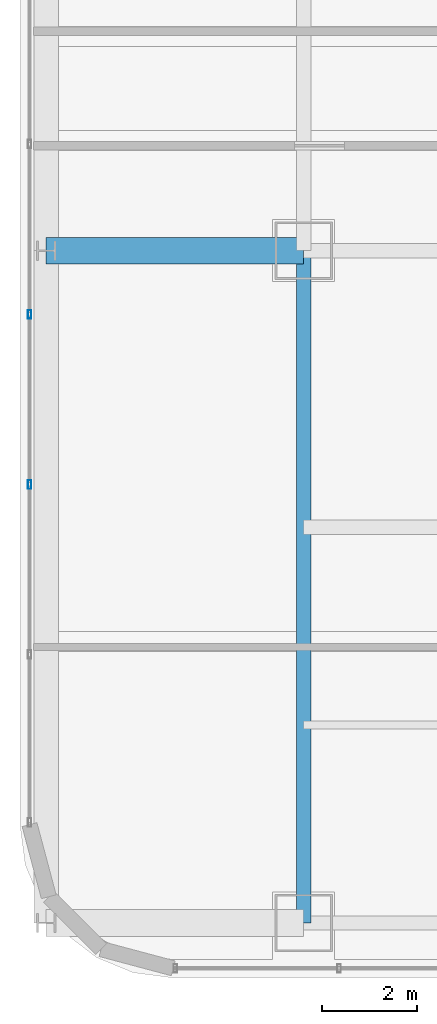
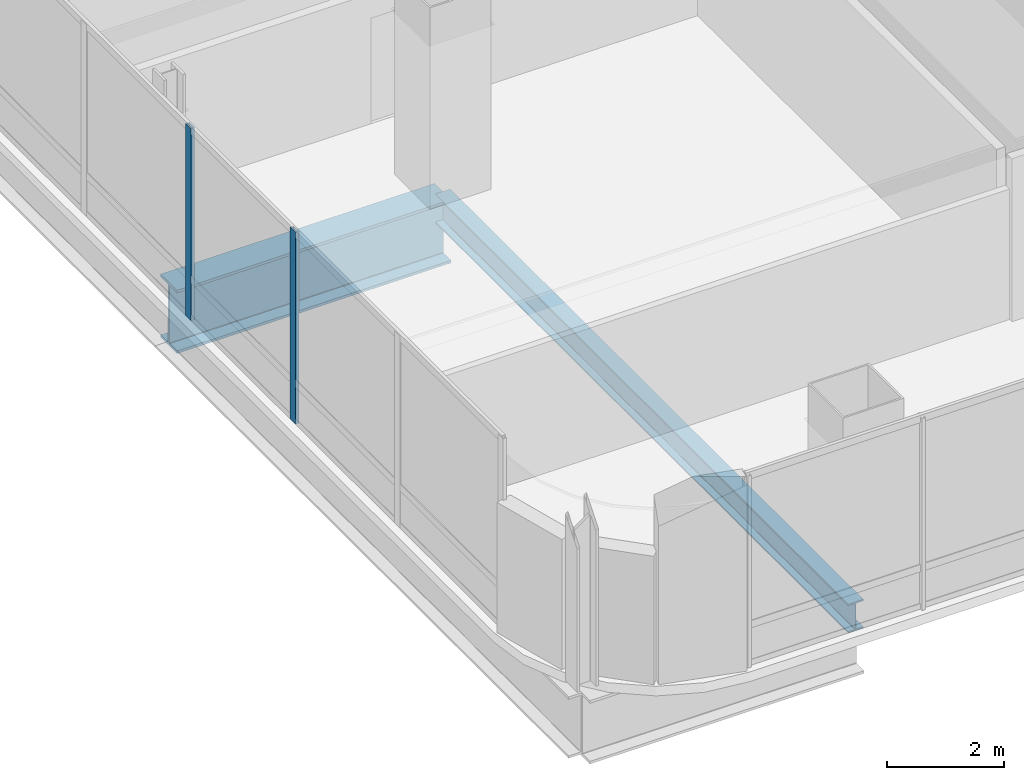
# One storey, part 6 of 43: 2 beams, 2 members, 1 element without a shape of its own.
"""IFC4 building model written with IfcOpenShell, lengths in metres."""

from ifc_helpers import new_model, si_unit, direction, frame, origin, origin_2d, place, context, subcontext, project, spatial, hollow_rectangle, i_section, extrude, material, material_profile, profile_set, type_object, element, aggregate, save


model = new_model("IFC4")

# Units and contexts
model_context = context("Model", 3, precision=1e-05, world=origin(), true_north=direction((0.0, 1.0)))
body_context = subcontext(model_context, "Body", "Model", "MODEL_VIEW")
ifc_project = project(units=[si_unit("LENGTHUNIT", "METRE"), si_unit("AREAUNIT", "SQUARE_METRE"), si_unit("VOLUMEUNIT", "CUBIC_METRE"), si_unit("PLANEANGLEUNIT", "RADIAN"), si_unit("MASSUNIT", "GRAM", prefix="KILO")], contexts=[model_context])

# Site, building, storey
site_placement = place(None, origin())
site = spatial("IfcSite", under=ifc_project, at=site_placement, CompositionType="ELEMENT")
building_placement = place(site_placement, origin())
building = spatial("IfcBuilding", under=site, at=building_placement, Name="Punatoya Terracotta Tower", CompositionType="ELEMENT")
storey_placement = place(building_placement, frame((0.0, 0.0, 300.60009765625)))
storey = spatial("IfcBuildingStorey", under=building, at=storey_placement, Name="L71", CompositionType="ELEMENT", Elevation=300.60009765625)

# Beams
ifc_material_1 = material(Name="Steel S355", Category="steel")
ifc_material_profile_1 = material_profile(ifc_material_1, i_section(OverallWidth=0.300048828125, OverallDepth=0.60009765625, WebThickness=0.015380859375, FlangeThickness=0.030029296875, FilletRadius=0.01806640625, at=origin_2d()))
ifc_profile_set_1 = profile_set([ifc_material_profile_1], Name="Steel S355")
beam_type_1 = type_object("IfcBeamType", Name="BM-PRI-600", PredefinedType="BEAM", material=ifc_profile_set_1)
beam_1_placement = place(storey_placement, frame((-19.10009765625, -17.5, -0.5), z_axis=(0.0, 1.0, 0.0), x_axis=(-1.0, 0.0, 0.0)))
element("IfcBeam", 1, at=beam_1_placement, inside=storey, type_object=beam_type_1, Name="BM-L71-RG-W1", PredefinedType="BEAM", context=body_context, shape_type="SweptSolid", body=[
    extrude(i_section(OverallWidth=0.300048828125, OverallDepth=0.60009765625, WebThickness=0.015380859375, FlangeThickness=0.030029296875, FilletRadius=0.01806640625, at=origin_2d()), origin(), (0.0, 0.0, 1.0), 14.10009765625),
])
ifc_material_2 = material(Name="Steel S460", Category="steel")
ifc_material_profile_2 = material_profile(ifc_material_2, i_section(OverallWidth=0.56005859375, OverallDepth=1.320068359375, WebThickness=0.035888671875, FlangeThickness=0.054931640625, FilletRadius=0.01806640625, at=origin_2d()))
ifc_profile_set_2 = profile_set([ifc_material_profile_2], Name="Steel S460")
beam_type_2 = type_object("IfcBeamType", Name="BM-TG-BLK", PredefinedType="BEAM", material=ifc_profile_set_2)
beam_2_placement = place(storey_placement, frame((-24.5, -3.39990234375, -0.860107421875), z_axis=(1.0, 0.0, 0.0), x_axis=(0.0, 1.0, 0.0)))
element("IfcBeam", 2, at=beam_2_placement, inside=storey, type_object=beam_type_2, Name="BM-L71-CANT-W2", PredefinedType="BEAM", context=body_context, shape_type="SweptSolid", body=[
    extrude(i_section(OverallWidth=0.56005859375, OverallDepth=1.320068359375, WebThickness=0.035888671875, FlangeThickness=0.054931640625, FilletRadius=0.01806640625, at=origin_2d()), origin(), (0.0, 0.0, 1.0), 5.39990234375),
])

# Curtain wall, members
ifc_material_3 = material(Name="Aluminium 6063-T6 + Double Low-E Glass", Category="aluminium")
curtain_wall_type = type_object("IfcCurtainWallType", Name="CW-M3", PredefinedType="NOTDEFINED", material=ifc_material_3)
curtain_wall_placement = place(storey_placement, origin())
curtain_wall = element("IfcCurtainWall", 3, at=curtain_wall_placement, inside=storey, type_object=curtain_wall_type, Name="L71 Curtain Wall CW-L71-W13-1", PredefinedType="NOTDEFINED")
ifc_material_4 = material(Name="Aluminium 6063-T6", Category="aluminium")
ifc_material_profile_3 = material_profile(ifc_material_4, hollow_rectangle(XDim=0.070068359375, YDim=0.179931640625, WallThickness=0.00390625, at=origin_2d()))
ifc_profile_set_3 = profile_set([ifc_material_profile_3], Name="Aluminium 6063-T6")
member_type = type_object("IfcMemberType", Name="CW-MUL-M3", PredefinedType="MULLION", material=ifc_profile_set_3)
member_1_placement = place(storey_placement, frame((-24.85009765625, -4.73486328125, 0.0), z_axis=(0.0, 0.0, 1.0), x_axis=(1.0, 0.0, 0.0)))
member_1 = element("IfcMember", 4, at=member_1_placement, type_object=member_type, Name="CW-L71-W13-1 Mullion 07", PredefinedType="MULLION", context=body_context, shape_type="SweptSolid", body=[
    extrude(hollow_rectangle(XDim=0.070068359375, YDim=0.179931640625, WallThickness=0.00390625, at=origin_2d()), origin(), (0.0, 0.0, 1.0), 4.0),
])
member_2_placement = place(storey_placement, frame((-24.85009765625, -8.302001953125, 0.0), z_axis=(0.0, 0.0, 1.0), x_axis=(1.0, 0.0, 0.0)))
member_2 = element("IfcMember", 5, at=member_2_placement, type_object=member_type, Name="CW-L71-W13-1 Mullion 08", PredefinedType="MULLION", context=body_context, shape_type="SweptSolid", body=[
    extrude(hollow_rectangle(XDim=0.070068359375, YDim=0.179931640625, WallThickness=0.00390625, at=origin_2d()), origin(), (0.0, 0.0, 1.0), 4.0),
])
aggregate(curtain_wall, [member_1, member_2])

save(model, "model.ifc")
